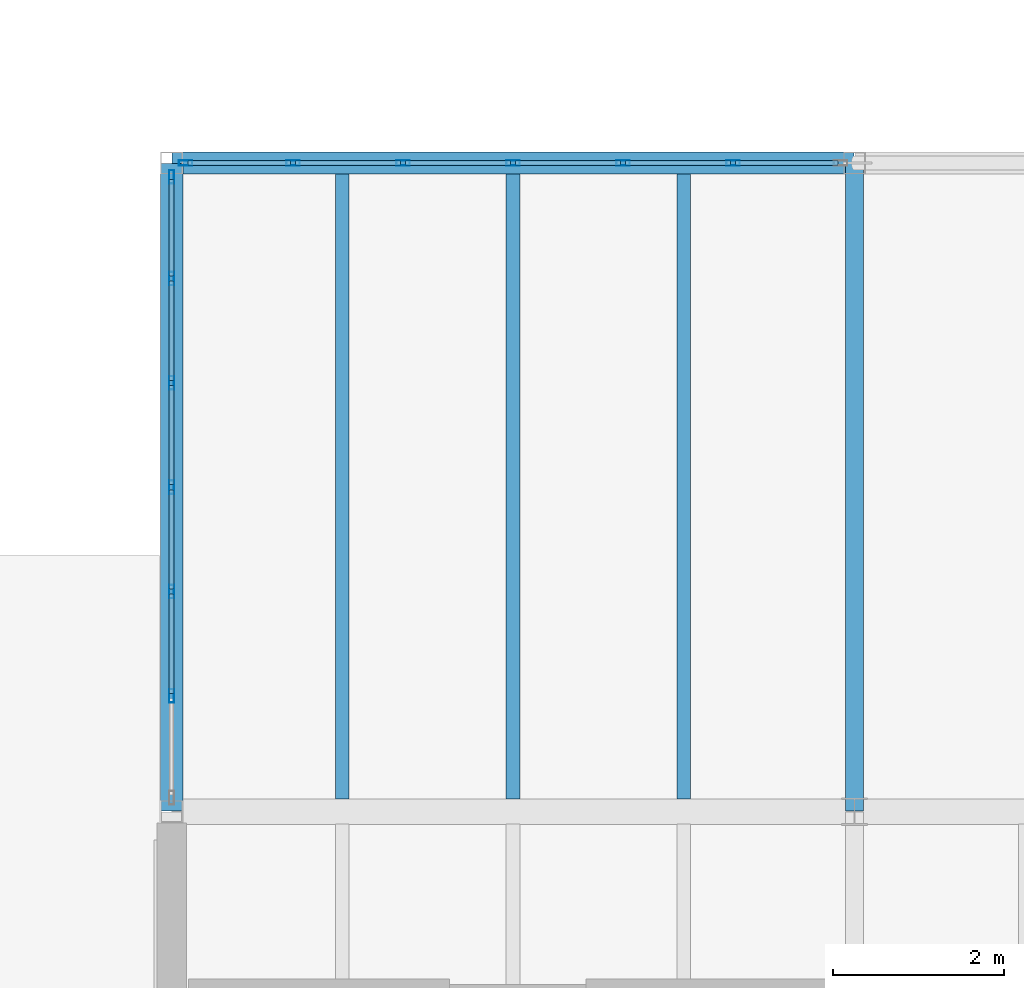
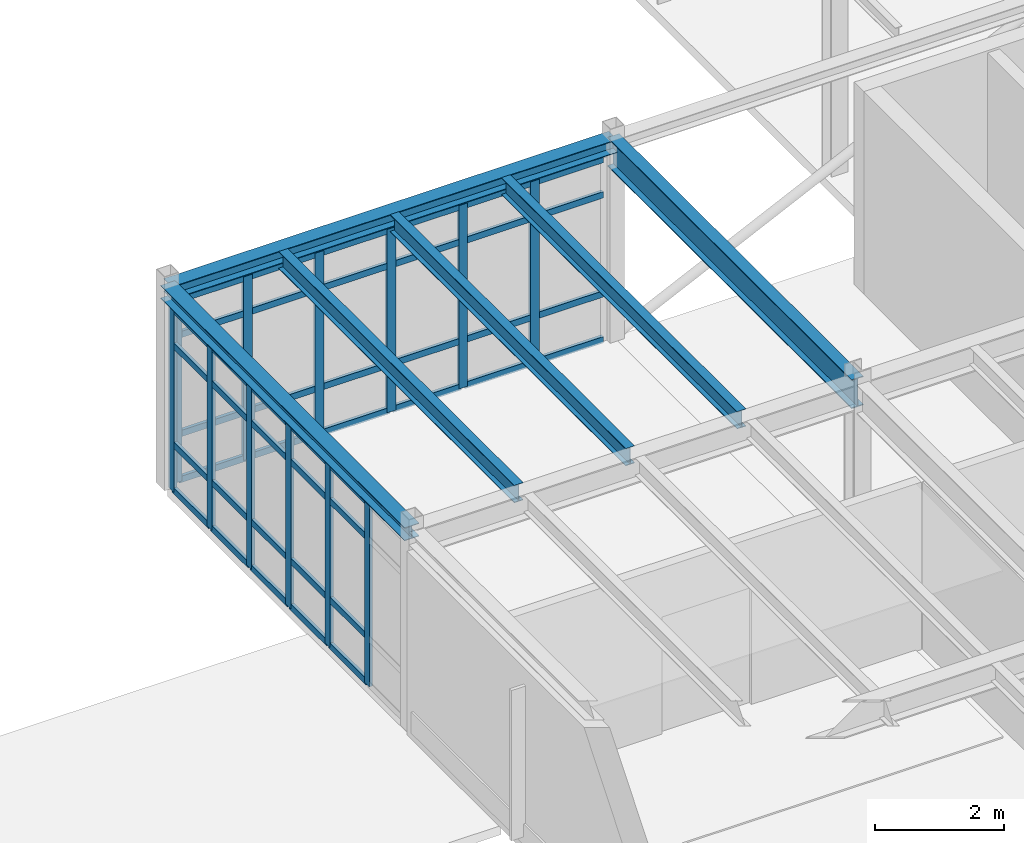
# One storey, part 122 of 189: 56 members, 6 beams, 2 elements without a shape of their own.
"""IFC4 building model written with IfcOpenShell, lengths in metres."""

from ifc_helpers import new_model, si_unit, direction, frame, origin, origin_2d, place, context, subcontext, project, spatial, hollow_rectangle, i_section, extrude, material, layer, layer_set, material_profile, profile_set, type_object, element, aggregate, save


model = new_model("IFC4")

# Units and contexts
model_context = context("Model", 3, precision=1e-05, world=origin(), true_north=direction((0.0, 1.0)))
body_context = subcontext(model_context, "Body", "Model", "MODEL_VIEW")
ifc_project = project(units=[si_unit("LENGTHUNIT", "METRE"), si_unit("AREAUNIT", "SQUARE_METRE"), si_unit("VOLUMEUNIT", "CUBIC_METRE"), si_unit("PLANEANGLEUNIT", "RADIAN"), si_unit("MASSUNIT", "GRAM", prefix="KILO")], contexts=[model_context])

# Site, building, storey
site_placement = place(None, origin())
site = spatial("IfcSite", under=ifc_project, at=site_placement, CompositionType="ELEMENT")
building_placement = place(site_placement, origin())
building = spatial("IfcBuilding", under=site, at=building_placement, Name="Montecoro Central Library", CompositionType="ELEMENT")
storey_placement = place(building_placement, frame((0.0, 0.0, 9.179931640625)))
storey = spatial("IfcBuildingStorey", under=building, at=storey_placement, Name="L02", CompositionType="ELEMENT", Elevation=9.179931640625)

# Beams
ifc_material_1 = material(Name="Steel S355J2", Category="steel")
ifc_material_profile_1 = material_profile(ifc_material_1, i_section(OverallWidth=0.2099609375, OverallDepth=0.550048828125, WebThickness=0.010986328125, FlangeThickness=0.01708984375, at=origin_2d()), Name="IPE 550")
ifc_profile_set_1 = profile_set([ifc_material_profile_1], Name="Steel S355J2")
beam_type_1 = type_object("IfcBeamType", Name="BM-G-IPE550", PredefinedType="USERDEFINED", material=ifc_profile_set_1)
beam_1_placement = place(storey_placement, frame((149.0, 35.405029296875, 3.550048828125), z_axis=(0.0, 1.0, 0.0), x_axis=(-1.0, 0.0, 0.0)))
element("IfcBeam", 1, at=beam_1_placement, inside=storey, type_object=beam_type_1, Name="V6-L02-BY-19-EF", ObjectType="GIRDER", PredefinedType="USERDEFINED", context=body_context, shape_type="SweptSolid", body=[
    extrude(i_section(OverallWidth=0.2099609375, OverallDepth=0.550048828125, WebThickness=0.010986328125, FlangeThickness=0.01708984375, at=origin_2d()), origin(), (0.0, 0.0, 1.0), 7.590087890625),
])
ifc_material_2 = material(Name="Steel S355", Category="steel")
ifc_material_profile_2 = material_profile(ifc_material_2, i_section(OverallWidth=0.159912109375, OverallDepth=0.330078125, WebThickness=0.007568359375, FlangeThickness=0.011474609375, at=origin_2d()), Name="IPE 330")
ifc_profile_set_2 = profile_set([ifc_material_profile_2], Name="Steel S355")
beam_type_2 = type_object("IfcBeamType", Name="BM-J-IPE330", PredefinedType="JOIST", material=ifc_profile_set_2)
for number, where, z_axis, x_axis, name in (
    (2, (143.0, 35.547119140625, 3.66015625), (0.0, 1.0, 0.0), (-1.0, 0.0, 0.0), "V6-L02-JS-1819-EF-1"),
    (3, (145.0, 35.547119140625, 3.66015625), (0.0, 1.0, 0.0), (-1.0, 0.0, 0.0), "V6-L02-JS-1819-EF-2"),
    (4, (147.0, 35.547119140625, 3.66015625), (0.0, 1.0, 0.0), (-1.0, 0.0, 0.0), "V6-L02-JS-1819-EF-3"),
):
    element("IfcBeam", number, at=place(storey_placement, frame(where, z_axis=z_axis, x_axis=x_axis)), inside=storey, type_object=beam_type_2, Name=name, PredefinedType="JOIST", context=body_context, shape_type="SweptSolid", body=[
        extrude(i_section(OverallWidth=0.159912109375, OverallDepth=0.330078125, WebThickness=0.007568359375, FlangeThickness=0.011474609375, at=origin_2d()), origin(), (0.0, 0.0, 1.0), 7.325927734375),
    ])
ifc_material_profile_3 = material_profile(ifc_material_2, i_section(OverallWidth=0.260009765625, OverallDepth=0.25, WebThickness=0.007568359375, FlangeThickness=0.012451171875, at=origin_2d()), Name="HEA 260")
ifc_profile_set_3 = profile_set([ifc_material_profile_3], Name="Steel S355")
beam_type_3 = type_object("IfcBeamType", Name="BM-SP-HEA260", PredefinedType="SPANDREL", material=ifc_profile_set_3)
beam_2_placement = place(storey_placement, frame((141.0048828125, 43.0, 3.699951171875), z_axis=(1.0, 0.0, 0.0), x_axis=(0.0, 1.0, 0.0)))
element("IfcBeam", 5, at=beam_2_placement, inside=storey, type_object=beam_type_3, Name="V6-L02-BX-1819-F", PredefinedType="SPANDREL", context=body_context, shape_type="SweptSolid", body=[
    extrude(i_section(OverallWidth=0.260009765625, OverallDepth=0.25, WebThickness=0.007568359375, FlangeThickness=0.012451171875, at=origin_2d()), origin(), (0.0, 0.0, 1.0), 7.990234375),
])
beam_3_placement = place(storey_placement, frame((141.0, 35.405029296875, 3.699951171875), z_axis=(0.0, 1.0, 0.0), x_axis=(-1.0, 0.0, 0.0)))
element("IfcBeam", 6, at=beam_3_placement, inside=storey, type_object=beam_type_3, Name="V6-L02-BY-18-EF", PredefinedType="SPANDREL", context=body_context, shape_type="SweptSolid", body=[
    extrude(i_section(OverallWidth=0.260009765625, OverallDepth=0.25, WebThickness=0.007568359375, FlangeThickness=0.012451171875, at=origin_2d()), origin(), (0.0, 0.0, 1.0), 7.590087890625),
])

# Curtain wall, members
ifc_material_3 = material(Name="Bronze-anodised aluminium and low-E glazing", Category="aluminium")
ifc_layer_1 = layer(ifc_material_3, 0.159912109375)
ifc_layer_set_1 = layer_set([ifc_layer_1], Name="Bronze-anodised aluminium and low-E glazing")
curtain_wall_type_1 = type_object("IfcCurtainWallType", Name="CWT-066", PredefinedType="NOTDEFINED", material=ifc_layer_set_1)
curtain_wall_1_placement = place(storey_placement, origin())
curtain_wall_1 = element("IfcCurtainWall", 7, at=curtain_wall_1_placement, inside=storey, type_object=curtain_wall_type_1, Name="V6-L02-CW-N0", PredefinedType="NOTDEFINED")
ifc_material_4 = material(Name="Bronze-anodised aluminium", Category="aluminium")
ifc_material_profile_4 = material_profile(ifc_material_4, hollow_rectangle(XDim=0.06005859375, YDim=0.159912109375, WallThickness=0.00390625, at=origin_2d()), Name="CWM 160x60x4.0")
ifc_profile_set_4 = profile_set([ifc_material_profile_4], Name="Bronze-anodised aluminium")
member_type_1 = type_object("IfcMemberType", Name="CWM-BRZ-60", PredefinedType="MULLION", material=ifc_profile_set_4)
member_1_placement = place(storey_placement, frame((147.577880859375, 43.0, 0.0), z_axis=(0.0, 0.0, 1.0), x_axis=(0.0, -1.0, 0.0)))
member_1 = element("IfcMember", 8, at=member_1_placement, type_object=member_type_1, Name="CW-066 mullion 2", PredefinedType="MULLION", context=body_context, shape_type="SweptSolid", body=[
    extrude(hollow_rectangle(XDim=0.06005859375, YDim=0.159912109375, WallThickness=0.00390625, at=origin_2d()), origin(), (0.0, 0.0, 1.0), 3.47998046875),
])
member_2_placement = place(storey_placement, frame((146.2890625, 43.0, 0.0), z_axis=(0.0, 0.0, 1.0), x_axis=(0.0, -1.0, 0.0)))
member_2 = element("IfcMember", 9, at=member_2_placement, type_object=member_type_1, Name="CW-066 mullion 3", PredefinedType="MULLION", context=body_context, shape_type="SweptSolid", body=[
    extrude(hollow_rectangle(XDim=0.06005859375, YDim=0.159912109375, WallThickness=0.00390625, at=origin_2d()), origin(), (0.0, 0.0, 1.0), 3.47998046875),
])
member_3_placement = place(storey_placement, frame((145.0, 43.0, 0.0), z_axis=(0.0, 0.0, 1.0), x_axis=(0.0, -1.0, 0.0)))
member_3 = element("IfcMember", 10, at=member_3_placement, type_object=member_type_1, Name="CW-066 mullion 4", PredefinedType="MULLION", context=body_context, shape_type="SweptSolid", body=[
    extrude(hollow_rectangle(XDim=0.06005859375, YDim=0.159912109375, WallThickness=0.00390625, at=origin_2d()), origin(), (0.0, 0.0, 1.0), 3.47998046875),
])
member_4_placement = place(storey_placement, frame((143.7109375, 43.0, 0.0), z_axis=(0.0, 0.0, 1.0), x_axis=(0.0, -1.0, 0.0)))
member_4 = element("IfcMember", 11, at=member_4_placement, type_object=member_type_1, Name="CW-066 mullion 5", PredefinedType="MULLION", context=body_context, shape_type="SweptSolid", body=[
    extrude(hollow_rectangle(XDim=0.06005859375, YDim=0.159912109375, WallThickness=0.00390625, at=origin_2d()), origin(), (0.0, 0.0, 1.0), 3.47998046875),
])
member_5_placement = place(storey_placement, frame((142.422119140625, 43.0, 0.0), z_axis=(0.0, 0.0, 1.0), x_axis=(0.0, -1.0, 0.0)))
member_5 = element("IfcMember", 12, at=member_5_placement, type_object=member_type_1, Name="CW-066 mullion 6", PredefinedType="MULLION", context=body_context, shape_type="SweptSolid", body=[
    extrude(hollow_rectangle(XDim=0.06005859375, YDim=0.159912109375, WallThickness=0.00390625, at=origin_2d()), origin(), (0.0, 0.0, 1.0), 3.47998046875),
])
member_6_placement = place(storey_placement, frame((141.1630859375, 43.0, 0.0), z_axis=(0.0, 0.0, 1.0), x_axis=(0.0, -1.0, 0.0)))
member_6 = element("IfcMember", 13, at=member_6_placement, type_object=member_type_1, Name="CW-066 mullion 7", PredefinedType="MULLION", context=body_context, shape_type="SweptSolid", body=[
    extrude(hollow_rectangle(XDim=0.06005859375, YDim=0.159912109375, WallThickness=0.00390625, at=origin_2d()), origin(), (0.0, 0.0, 1.0), 3.47998046875),
])

ifc_layer_2 = layer(ifc_material_3, 0.159912109375)
ifc_layer_set_2 = layer_set([ifc_layer_2], Name="Bronze-anodised aluminium and low-E glazing")
curtain_wall_type_2 = type_object("IfcCurtainWallType", Name="CWT-067", PredefinedType="NOTDEFINED", material=ifc_layer_set_2)
curtain_wall_2_placement = place(storey_placement, origin())
curtain_wall_2 = element("IfcCurtainWall", 14, at=curtain_wall_2_placement, inside=storey, type_object=curtain_wall_type_2, Name="V6-L02-CW-W4", PredefinedType="NOTDEFINED")
member_7_placement = place(storey_placement, frame((141.0, 42.8369140625, 0.0), z_axis=(0.0, 0.0, 1.0), x_axis=(1.0, 0.0, 0.0)))
member_7 = element("IfcMember", 15, at=member_7_placement, type_object=member_type_1, Name="CW-067 mullion 1", PredefinedType="MULLION", context=body_context, shape_type="SweptSolid", body=[
    extrude(hollow_rectangle(XDim=0.06005859375, YDim=0.159912109375, WallThickness=0.00390625, at=origin_2d()), origin(), (0.0, 0.0, 1.0), 3.47998046875),
])
member_8_placement = place(storey_placement, frame((141.0, 41.644775390625, 0.0), z_axis=(0.0, 0.0, 1.0), x_axis=(1.0, 0.0, 0.0)))
member_8 = element("IfcMember", 16, at=member_8_placement, type_object=member_type_1, Name="CW-067 mullion 2", PredefinedType="MULLION", context=body_context, shape_type="SweptSolid", body=[
    extrude(hollow_rectangle(XDim=0.06005859375, YDim=0.159912109375, WallThickness=0.00390625, at=origin_2d()), origin(), (0.0, 0.0, 1.0), 3.47998046875),
])
member_9_placement = place(storey_placement, frame((141.0, 40.42236328125, 0.0), z_axis=(0.0, 0.0, 1.0), x_axis=(1.0, 0.0, 0.0)))
member_9 = element("IfcMember", 17, at=member_9_placement, type_object=member_type_1, Name="CW-067 mullion 3", PredefinedType="MULLION", context=body_context, shape_type="SweptSolid", body=[
    extrude(hollow_rectangle(XDim=0.06005859375, YDim=0.159912109375, WallThickness=0.00390625, at=origin_2d()), origin(), (0.0, 0.0, 1.0), 3.47998046875),
])
member_10_placement = place(storey_placement, frame((141.0, 39.199951171875, 0.0), z_axis=(0.0, 0.0, 1.0), x_axis=(1.0, 0.0, 0.0)))
member_10 = element("IfcMember", 18, at=member_10_placement, type_object=member_type_1, Name="CW-067 mullion 4", PredefinedType="MULLION", context=body_context, shape_type="SweptSolid", body=[
    extrude(hollow_rectangle(XDim=0.06005859375, YDim=0.159912109375, WallThickness=0.00390625, at=origin_2d()), origin(), (0.0, 0.0, 1.0), 3.47998046875),
])
member_11_placement = place(storey_placement, frame((141.0, 37.977783203125, 0.0), z_axis=(0.0, 0.0, 1.0), x_axis=(1.0, 0.0, 0.0)))
member_11 = element("IfcMember", 19, at=member_11_placement, type_object=member_type_1, Name="CW-067 mullion 5", PredefinedType="MULLION", context=body_context, shape_type="SweptSolid", body=[
    extrude(hollow_rectangle(XDim=0.06005859375, YDim=0.159912109375, WallThickness=0.00390625, at=origin_2d()), origin(), (0.0, 0.0, 1.0), 3.47998046875),
])
member_12_placement = place(storey_placement, frame((141.0, 36.75537109375, 0.0), z_axis=(0.0, 0.0, 1.0), x_axis=(1.0, 0.0, 0.0)))
member_12 = element("IfcMember", 20, at=member_12_placement, type_object=member_type_1, Name="CW-067 mullion 6", PredefinedType="MULLION", context=body_context, shape_type="SweptSolid", body=[
    extrude(hollow_rectangle(XDim=0.06005859375, YDim=0.159912109375, WallThickness=0.00390625, at=origin_2d()), origin(), (0.0, 0.0, 1.0), 3.47998046875),
])

# Member
ifc_material_profile_5 = material_profile(ifc_material_4, hollow_rectangle(XDim=0.06005859375, YDim=0.1201171875, WallThickness=0.00390625, at=origin_2d()), Name="CWT 120x60x4.0")
ifc_profile_set_5 = profile_set([ifc_material_profile_5], Name="Bronze-anodised aluminium")
member_type_2 = type_object("IfcMemberType", Name="CWT-BRZ-60", PredefinedType="USERDEFINED", material=ifc_profile_set_5)
member_13_placement = place(storey_placement, frame((148.806884765625, 43.0, 0.030029296875), z_axis=(-1.0, 0.0, 0.0), x_axis=(0.0, -1.0, 0.0)))
member_13 = element("IfcMember", 21, at=member_13_placement, type_object=member_type_2, Name="CW-066 transom 1.1", ObjectType="TRANSOM", PredefinedType="USERDEFINED", context=body_context, shape_type="SweptSolid", body=[
    extrude(hollow_rectangle(XDim=0.06005859375, YDim=0.1201171875, WallThickness=0.00390625, at=origin_2d()), origin(), (0.0, 0.0, 1.0), 1.198974609375),
])

member_14_placement = place(storey_placement, frame((148.806884765625, 43.0, 0.900146484375), z_axis=(-1.0, 0.0, 0.0), x_axis=(0.0, -1.0, 0.0)))
member_14 = element("IfcMember", 22, at=member_14_placement, type_object=member_type_2, Name="CW-066 transom 1.2", ObjectType="TRANSOM", PredefinedType="USERDEFINED", context=body_context, shape_type="SweptSolid", body=[
    extrude(hollow_rectangle(XDim=0.06005859375, YDim=0.1201171875, WallThickness=0.00390625, at=origin_2d()), origin(), (0.0, 0.0, 1.0), 1.198974609375),
])

member_15_placement = place(storey_placement, frame((148.806884765625, 43.0, 2.780029296875), z_axis=(-1.0, 0.0, 0.0), x_axis=(0.0, -1.0, 0.0)))
member_15 = element("IfcMember", 23, at=member_15_placement, type_object=member_type_2, Name="CW-066 transom 1.3", ObjectType="TRANSOM", PredefinedType="USERDEFINED", context=body_context, shape_type="SweptSolid", body=[
    extrude(hollow_rectangle(XDim=0.06005859375, YDim=0.1201171875, WallThickness=0.00390625, at=origin_2d()), origin(), (0.0, 0.0, 1.0), 1.198974609375),
])

member_16_placement = place(storey_placement, frame((148.806884765625, 43.0, 3.449951171875), z_axis=(-1.0, 0.0, 0.0), x_axis=(0.0, -1.0, 0.0)))
member_16 = element("IfcMember", 24, at=member_16_placement, type_object=member_type_2, Name="CW-066 transom 1.4", ObjectType="TRANSOM", PredefinedType="USERDEFINED", context=body_context, shape_type="SweptSolid", body=[
    extrude(hollow_rectangle(XDim=0.06005859375, YDim=0.1201171875, WallThickness=0.00390625, at=origin_2d()), origin(), (0.0, 0.0, 1.0), 1.198974609375),
])

member_17_placement = place(storey_placement, frame((147.548095703125, 43.0, 0.030029296875), z_axis=(-1.0, 0.0, 0.0), x_axis=(0.0, -1.0, 0.0)))
member_17 = element("IfcMember", 25, at=member_17_placement, type_object=member_type_2, Name="CW-066 transom 2.1", ObjectType="TRANSOM", PredefinedType="USERDEFINED", context=body_context, shape_type="SweptSolid", body=[
    extrude(hollow_rectangle(XDim=0.06005859375, YDim=0.1201171875, WallThickness=0.00390625, at=origin_2d()), origin(), (0.0, 0.0, 1.0), 1.22900390625),
])

member_18_placement = place(storey_placement, frame((147.548095703125, 43.0, 0.900146484375), z_axis=(-1.0, 0.0, 0.0), x_axis=(0.0, -1.0, 0.0)))
member_18 = element("IfcMember", 26, at=member_18_placement, type_object=member_type_2, Name="CW-066 transom 2.2", ObjectType="TRANSOM", PredefinedType="USERDEFINED", context=body_context, shape_type="SweptSolid", body=[
    extrude(hollow_rectangle(XDim=0.06005859375, YDim=0.1201171875, WallThickness=0.00390625, at=origin_2d()), origin(), (0.0, 0.0, 1.0), 1.22900390625),
])

member_19_placement = place(storey_placement, frame((147.548095703125, 43.0, 2.780029296875), z_axis=(-1.0, 0.0, 0.0), x_axis=(0.0, -1.0, 0.0)))
member_19 = element("IfcMember", 27, at=member_19_placement, type_object=member_type_2, Name="CW-066 transom 2.3", ObjectType="TRANSOM", PredefinedType="USERDEFINED", context=body_context, shape_type="SweptSolid", body=[
    extrude(hollow_rectangle(XDim=0.06005859375, YDim=0.1201171875, WallThickness=0.00390625, at=origin_2d()), origin(), (0.0, 0.0, 1.0), 1.22900390625),
])

member_20_placement = place(storey_placement, frame((147.548095703125, 43.0, 3.449951171875), z_axis=(-1.0, 0.0, 0.0), x_axis=(0.0, -1.0, 0.0)))
member_20 = element("IfcMember", 28, at=member_20_placement, type_object=member_type_2, Name="CW-066 transom 2.4", ObjectType="TRANSOM", PredefinedType="USERDEFINED", context=body_context, shape_type="SweptSolid", body=[
    extrude(hollow_rectangle(XDim=0.06005859375, YDim=0.1201171875, WallThickness=0.00390625, at=origin_2d()), origin(), (0.0, 0.0, 1.0), 1.22900390625),
])

member_21_placement = place(storey_placement, frame((146.259033203125, 43.0, 0.030029296875), z_axis=(-1.0, 0.0, 0.0), x_axis=(0.0, -1.0, 0.0)))
member_21 = element("IfcMember", 29, at=member_21_placement, type_object=member_type_2, Name="CW-066 transom 3.1", ObjectType="TRANSOM", PredefinedType="USERDEFINED", context=body_context, shape_type="SweptSolid", body=[
    extrude(hollow_rectangle(XDim=0.06005859375, YDim=0.1201171875, WallThickness=0.00390625, at=origin_2d()), origin(), (0.0, 0.0, 1.0), 1.22900390625),
])

member_22_placement = place(storey_placement, frame((146.259033203125, 43.0, 0.900146484375), z_axis=(-1.0, 0.0, 0.0), x_axis=(0.0, -1.0, 0.0)))
member_22 = element("IfcMember", 30, at=member_22_placement, type_object=member_type_2, Name="CW-066 transom 3.2", ObjectType="TRANSOM", PredefinedType="USERDEFINED", context=body_context, shape_type="SweptSolid", body=[
    extrude(hollow_rectangle(XDim=0.06005859375, YDim=0.1201171875, WallThickness=0.00390625, at=origin_2d()), origin(), (0.0, 0.0, 1.0), 1.22900390625),
])

member_23_placement = place(storey_placement, frame((146.259033203125, 43.0, 2.780029296875), z_axis=(-1.0, 0.0, 0.0), x_axis=(0.0, -1.0, 0.0)))
member_23 = element("IfcMember", 31, at=member_23_placement, type_object=member_type_2, Name="CW-066 transom 3.3", ObjectType="TRANSOM", PredefinedType="USERDEFINED", context=body_context, shape_type="SweptSolid", body=[
    extrude(hollow_rectangle(XDim=0.06005859375, YDim=0.1201171875, WallThickness=0.00390625, at=origin_2d()), origin(), (0.0, 0.0, 1.0), 1.22900390625),
])

member_24_placement = place(storey_placement, frame((146.259033203125, 43.0, 3.449951171875), z_axis=(-1.0, 0.0, 0.0), x_axis=(0.0, -1.0, 0.0)))
member_24 = element("IfcMember", 32, at=member_24_placement, type_object=member_type_2, Name="CW-066 transom 3.4", ObjectType="TRANSOM", PredefinedType="USERDEFINED", context=body_context, shape_type="SweptSolid", body=[
    extrude(hollow_rectangle(XDim=0.06005859375, YDim=0.1201171875, WallThickness=0.00390625, at=origin_2d()), origin(), (0.0, 0.0, 1.0), 1.22900390625),
])

member_25_placement = place(storey_placement, frame((144.969970703125, 43.0, 0.030029296875), z_axis=(-1.0, 0.0, 0.0), x_axis=(0.0, -1.0, 0.0)))
member_25 = element("IfcMember", 33, at=member_25_placement, type_object=member_type_2, Name="CW-066 transom 4.1", ObjectType="TRANSOM", PredefinedType="USERDEFINED", context=body_context, shape_type="SweptSolid", body=[
    extrude(hollow_rectangle(XDim=0.06005859375, YDim=0.1201171875, WallThickness=0.00390625, at=origin_2d()), origin(), (0.0, 0.0, 1.0), 1.22900390625),
])

member_26_placement = place(storey_placement, frame((144.969970703125, 43.0, 0.900146484375), z_axis=(-1.0, 0.0, 0.0), x_axis=(0.0, -1.0, 0.0)))
member_26 = element("IfcMember", 34, at=member_26_placement, type_object=member_type_2, Name="CW-066 transom 4.2", ObjectType="TRANSOM", PredefinedType="USERDEFINED", context=body_context, shape_type="SweptSolid", body=[
    extrude(hollow_rectangle(XDim=0.06005859375, YDim=0.1201171875, WallThickness=0.00390625, at=origin_2d()), origin(), (0.0, 0.0, 1.0), 1.22900390625),
])

member_27_placement = place(storey_placement, frame((144.969970703125, 43.0, 2.780029296875), z_axis=(-1.0, 0.0, 0.0), x_axis=(0.0, -1.0, 0.0)))
member_27 = element("IfcMember", 35, at=member_27_placement, type_object=member_type_2, Name="CW-066 transom 4.3", ObjectType="TRANSOM", PredefinedType="USERDEFINED", context=body_context, shape_type="SweptSolid", body=[
    extrude(hollow_rectangle(XDim=0.06005859375, YDim=0.1201171875, WallThickness=0.00390625, at=origin_2d()), origin(), (0.0, 0.0, 1.0), 1.22900390625),
])

member_28_placement = place(storey_placement, frame((144.969970703125, 43.0, 3.449951171875), z_axis=(-1.0, 0.0, 0.0), x_axis=(0.0, -1.0, 0.0)))
member_28 = element("IfcMember", 36, at=member_28_placement, type_object=member_type_2, Name="CW-066 transom 4.4", ObjectType="TRANSOM", PredefinedType="USERDEFINED", context=body_context, shape_type="SweptSolid", body=[
    extrude(hollow_rectangle(XDim=0.06005859375, YDim=0.1201171875, WallThickness=0.00390625, at=origin_2d()), origin(), (0.0, 0.0, 1.0), 1.22900390625),
])

member_29_placement = place(storey_placement, frame((143.680908203125, 43.0, 0.030029296875), z_axis=(-1.0, 0.0, 0.0), x_axis=(0.0, -1.0, 0.0)))
member_29 = element("IfcMember", 37, at=member_29_placement, type_object=member_type_2, Name="CW-066 transom 5.1", ObjectType="TRANSOM", PredefinedType="USERDEFINED", context=body_context, shape_type="SweptSolid", body=[
    extrude(hollow_rectangle(XDim=0.06005859375, YDim=0.1201171875, WallThickness=0.00390625, at=origin_2d()), origin(), (0.0, 0.0, 1.0), 1.22900390625),
])

member_30_placement = place(storey_placement, frame((143.680908203125, 43.0, 0.900146484375), z_axis=(-1.0, 0.0, 0.0), x_axis=(0.0, -1.0, 0.0)))
member_30 = element("IfcMember", 38, at=member_30_placement, type_object=member_type_2, Name="CW-066 transom 5.2", ObjectType="TRANSOM", PredefinedType="USERDEFINED", context=body_context, shape_type="SweptSolid", body=[
    extrude(hollow_rectangle(XDim=0.06005859375, YDim=0.1201171875, WallThickness=0.00390625, at=origin_2d()), origin(), (0.0, 0.0, 1.0), 1.22900390625),
])

member_31_placement = place(storey_placement, frame((143.680908203125, 43.0, 2.780029296875), z_axis=(-1.0, 0.0, 0.0), x_axis=(0.0, -1.0, 0.0)))
member_31 = element("IfcMember", 39, at=member_31_placement, type_object=member_type_2, Name="CW-066 transom 5.3", ObjectType="TRANSOM", PredefinedType="USERDEFINED", context=body_context, shape_type="SweptSolid", body=[
    extrude(hollow_rectangle(XDim=0.06005859375, YDim=0.1201171875, WallThickness=0.00390625, at=origin_2d()), origin(), (0.0, 0.0, 1.0), 1.22900390625),
])

member_32_placement = place(storey_placement, frame((143.680908203125, 43.0, 3.449951171875), z_axis=(-1.0, 0.0, 0.0), x_axis=(0.0, -1.0, 0.0)))
member_32 = element("IfcMember", 40, at=member_32_placement, type_object=member_type_2, Name="CW-066 transom 5.4", ObjectType="TRANSOM", PredefinedType="USERDEFINED", context=body_context, shape_type="SweptSolid", body=[
    extrude(hollow_rectangle(XDim=0.06005859375, YDim=0.1201171875, WallThickness=0.00390625, at=origin_2d()), origin(), (0.0, 0.0, 1.0), 1.22900390625),
])

member_33_placement = place(storey_placement, frame((142.39208984375, 43.0, 0.030029296875), z_axis=(-1.0, 0.0, 0.0), x_axis=(0.0, -1.0, 0.0)))
member_33 = element("IfcMember", 41, at=member_33_placement, type_object=member_type_2, Name="CW-066 transom 6.1", ObjectType="TRANSOM", PredefinedType="USERDEFINED", context=body_context, shape_type="SweptSolid", body=[
    extrude(hollow_rectangle(XDim=0.06005859375, YDim=0.1201171875, WallThickness=0.00390625, at=origin_2d()), origin(), (0.0, 0.0, 1.0), 1.198974609375),
])

member_34_placement = place(storey_placement, frame((142.39208984375, 43.0, 0.900146484375), z_axis=(-1.0, 0.0, 0.0), x_axis=(0.0, -1.0, 0.0)))
member_34 = element("IfcMember", 42, at=member_34_placement, type_object=member_type_2, Name="CW-066 transom 6.2", ObjectType="TRANSOM", PredefinedType="USERDEFINED", context=body_context, shape_type="SweptSolid", body=[
    extrude(hollow_rectangle(XDim=0.06005859375, YDim=0.1201171875, WallThickness=0.00390625, at=origin_2d()), origin(), (0.0, 0.0, 1.0), 1.198974609375),
])

member_35_placement = place(storey_placement, frame((142.39208984375, 43.0, 2.780029296875), z_axis=(-1.0, 0.0, 0.0), x_axis=(0.0, -1.0, 0.0)))
member_35 = element("IfcMember", 43, at=member_35_placement, type_object=member_type_2, Name="CW-066 transom 6.3", ObjectType="TRANSOM", PredefinedType="USERDEFINED", context=body_context, shape_type="SweptSolid", body=[
    extrude(hollow_rectangle(XDim=0.06005859375, YDim=0.1201171875, WallThickness=0.00390625, at=origin_2d()), origin(), (0.0, 0.0, 1.0), 1.198974609375),
])

member_36_placement = place(storey_placement, frame((142.39208984375, 43.0, 3.449951171875), z_axis=(-1.0, 0.0, 0.0), x_axis=(0.0, -1.0, 0.0)))
member_36 = element("IfcMember", 44, at=member_36_placement, type_object=member_type_2, Name="CW-066 transom 6.4", ObjectType="TRANSOM", PredefinedType="USERDEFINED", context=body_context, shape_type="SweptSolid", body=[
    extrude(hollow_rectangle(XDim=0.06005859375, YDim=0.1201171875, WallThickness=0.00390625, at=origin_2d()), origin(), (0.0, 0.0, 1.0), 1.198974609375),
])

aggregate(curtain_wall_1, [member_1, member_2, member_3, member_4, member_5, member_6, member_13, member_14, member_15, member_16, member_17, member_18, member_19, member_20, member_21, member_22, member_23, member_24, member_25, member_26, member_27, member_28, member_29, member_30, member_31, member_32, member_33, member_34, member_35, member_36])

member_37_placement = place(storey_placement, frame((141.0, 42.806884765625, 0.030029296875), z_axis=(0.0, -1.0, 0.0), x_axis=(1.0, 0.0, 0.0)))
member_37 = element("IfcMember", 45, at=member_37_placement, type_object=member_type_2, Name="CW-067 transom 1.1", ObjectType="TRANSOM", PredefinedType="USERDEFINED", context=body_context, shape_type="SweptSolid", body=[
    extrude(hollow_rectangle(XDim=0.06005859375, YDim=0.1201171875, WallThickness=0.00390625, at=origin_2d()), origin(), (0.0, 0.0, 1.0), 1.13232421875),
])

member_38_placement = place(storey_placement, frame((141.0, 42.806884765625, 0.900146484375), z_axis=(0.0, -1.0, 0.0), x_axis=(1.0, 0.0, 0.0)))
member_38 = element("IfcMember", 46, at=member_38_placement, type_object=member_type_2, Name="CW-067 transom 1.2", ObjectType="TRANSOM", PredefinedType="USERDEFINED", context=body_context, shape_type="SweptSolid", body=[
    extrude(hollow_rectangle(XDim=0.06005859375, YDim=0.1201171875, WallThickness=0.00390625, at=origin_2d()), origin(), (0.0, 0.0, 1.0), 1.13232421875),
])

member_39_placement = place(storey_placement, frame((141.0, 42.806884765625, 2.780029296875), z_axis=(0.0, -1.0, 0.0), x_axis=(1.0, 0.0, 0.0)))
member_39 = element("IfcMember", 47, at=member_39_placement, type_object=member_type_2, Name="CW-067 transom 1.3", ObjectType="TRANSOM", PredefinedType="USERDEFINED", context=body_context, shape_type="SweptSolid", body=[
    extrude(hollow_rectangle(XDim=0.06005859375, YDim=0.1201171875, WallThickness=0.00390625, at=origin_2d()), origin(), (0.0, 0.0, 1.0), 1.13232421875),
])

member_40_placement = place(storey_placement, frame((141.0, 42.806884765625, 3.449951171875), z_axis=(0.0, -1.0, 0.0), x_axis=(1.0, 0.0, 0.0)))
member_40 = element("IfcMember", 48, at=member_40_placement, type_object=member_type_2, Name="CW-067 transom 1.4", ObjectType="TRANSOM", PredefinedType="USERDEFINED", context=body_context, shape_type="SweptSolid", body=[
    extrude(hollow_rectangle(XDim=0.06005859375, YDim=0.1201171875, WallThickness=0.00390625, at=origin_2d()), origin(), (0.0, 0.0, 1.0), 1.13232421875),
])

member_41_placement = place(storey_placement, frame((141.0, 41.61474609375, 0.030029296875), z_axis=(0.0, -1.0, 0.0), x_axis=(1.0, 0.0, 0.0)))
member_41 = element("IfcMember", 49, at=member_41_placement, type_object=member_type_2, Name="CW-067 transom 2.1", ObjectType="TRANSOM", PredefinedType="USERDEFINED", context=body_context, shape_type="SweptSolid", body=[
    extrude(hollow_rectangle(XDim=0.06005859375, YDim=0.1201171875, WallThickness=0.00390625, at=origin_2d()), origin(), (0.0, 0.0, 1.0), 1.162353515625),
])

member_42_placement = place(storey_placement, frame((141.0, 41.61474609375, 0.900146484375), z_axis=(0.0, -1.0, 0.0), x_axis=(1.0, 0.0, 0.0)))
member_42 = element("IfcMember", 50, at=member_42_placement, type_object=member_type_2, Name="CW-067 transom 2.2", ObjectType="TRANSOM", PredefinedType="USERDEFINED", context=body_context, shape_type="SweptSolid", body=[
    extrude(hollow_rectangle(XDim=0.06005859375, YDim=0.1201171875, WallThickness=0.00390625, at=origin_2d()), origin(), (0.0, 0.0, 1.0), 1.162353515625),
])

member_43_placement = place(storey_placement, frame((141.0, 41.61474609375, 2.780029296875), z_axis=(0.0, -1.0, 0.0), x_axis=(1.0, 0.0, 0.0)))
member_43 = element("IfcMember", 51, at=member_43_placement, type_object=member_type_2, Name="CW-067 transom 2.3", ObjectType="TRANSOM", PredefinedType="USERDEFINED", context=body_context, shape_type="SweptSolid", body=[
    extrude(hollow_rectangle(XDim=0.06005859375, YDim=0.1201171875, WallThickness=0.00390625, at=origin_2d()), origin(), (0.0, 0.0, 1.0), 1.162353515625),
])

member_44_placement = place(storey_placement, frame((141.0, 41.61474609375, 3.449951171875), z_axis=(0.0, -1.0, 0.0), x_axis=(1.0, 0.0, 0.0)))
member_44 = element("IfcMember", 52, at=member_44_placement, type_object=member_type_2, Name="CW-067 transom 2.4", ObjectType="TRANSOM", PredefinedType="USERDEFINED", context=body_context, shape_type="SweptSolid", body=[
    extrude(hollow_rectangle(XDim=0.06005859375, YDim=0.1201171875, WallThickness=0.00390625, at=origin_2d()), origin(), (0.0, 0.0, 1.0), 1.162353515625),
])

member_45_placement = place(storey_placement, frame((141.0, 40.392333984375, 0.030029296875), z_axis=(0.0, -1.0, 0.0), x_axis=(1.0, 0.0, 0.0)))
member_45 = element("IfcMember", 53, at=member_45_placement, type_object=member_type_2, Name="CW-067 transom 3.1", ObjectType="TRANSOM", PredefinedType="USERDEFINED", context=body_context, shape_type="SweptSolid", body=[
    extrude(hollow_rectangle(XDim=0.06005859375, YDim=0.1201171875, WallThickness=0.00390625, at=origin_2d()), origin(), (0.0, 0.0, 1.0), 1.162353515625),
])

member_46_placement = place(storey_placement, frame((141.0, 40.392333984375, 0.900146484375), z_axis=(0.0, -1.0, 0.0), x_axis=(1.0, 0.0, 0.0)))
member_46 = element("IfcMember", 54, at=member_46_placement, type_object=member_type_2, Name="CW-067 transom 3.2", ObjectType="TRANSOM", PredefinedType="USERDEFINED", context=body_context, shape_type="SweptSolid", body=[
    extrude(hollow_rectangle(XDim=0.06005859375, YDim=0.1201171875, WallThickness=0.00390625, at=origin_2d()), origin(), (0.0, 0.0, 1.0), 1.162353515625),
])

member_47_placement = place(storey_placement, frame((141.0, 40.392333984375, 2.780029296875), z_axis=(0.0, -1.0, 0.0), x_axis=(1.0, 0.0, 0.0)))
member_47 = element("IfcMember", 55, at=member_47_placement, type_object=member_type_2, Name="CW-067 transom 3.3", ObjectType="TRANSOM", PredefinedType="USERDEFINED", context=body_context, shape_type="SweptSolid", body=[
    extrude(hollow_rectangle(XDim=0.06005859375, YDim=0.1201171875, WallThickness=0.00390625, at=origin_2d()), origin(), (0.0, 0.0, 1.0), 1.162353515625),
])

member_48_placement = place(storey_placement, frame((141.0, 40.392333984375, 3.449951171875), z_axis=(0.0, -1.0, 0.0), x_axis=(1.0, 0.0, 0.0)))
member_48 = element("IfcMember", 56, at=member_48_placement, type_object=member_type_2, Name="CW-067 transom 3.4", ObjectType="TRANSOM", PredefinedType="USERDEFINED", context=body_context, shape_type="SweptSolid", body=[
    extrude(hollow_rectangle(XDim=0.06005859375, YDim=0.1201171875, WallThickness=0.00390625, at=origin_2d()), origin(), (0.0, 0.0, 1.0), 1.162353515625),
])

member_49_placement = place(storey_placement, frame((141.0, 39.169921875, 0.030029296875), z_axis=(0.0, -1.0, 0.0), x_axis=(1.0, 0.0, 0.0)))
member_49 = element("IfcMember", 57, at=member_49_placement, type_object=member_type_2, Name="CW-067 transom 4.1", ObjectType="TRANSOM", PredefinedType="USERDEFINED", context=body_context, shape_type="SweptSolid", body=[
    extrude(hollow_rectangle(XDim=0.06005859375, YDim=0.1201171875, WallThickness=0.00390625, at=origin_2d()), origin(), (0.0, 0.0, 1.0), 1.162353515625),
])

member_50_placement = place(storey_placement, frame((141.0, 39.169921875, 0.900146484375), z_axis=(0.0, -1.0, 0.0), x_axis=(1.0, 0.0, 0.0)))
member_50 = element("IfcMember", 58, at=member_50_placement, type_object=member_type_2, Name="CW-067 transom 4.2", ObjectType="TRANSOM", PredefinedType="USERDEFINED", context=body_context, shape_type="SweptSolid", body=[
    extrude(hollow_rectangle(XDim=0.06005859375, YDim=0.1201171875, WallThickness=0.00390625, at=origin_2d()), origin(), (0.0, 0.0, 1.0), 1.162353515625),
])

member_51_placement = place(storey_placement, frame((141.0, 39.169921875, 2.780029296875), z_axis=(0.0, -1.0, 0.0), x_axis=(1.0, 0.0, 0.0)))
member_51 = element("IfcMember", 59, at=member_51_placement, type_object=member_type_2, Name="CW-067 transom 4.3", ObjectType="TRANSOM", PredefinedType="USERDEFINED", context=body_context, shape_type="SweptSolid", body=[
    extrude(hollow_rectangle(XDim=0.06005859375, YDim=0.1201171875, WallThickness=0.00390625, at=origin_2d()), origin(), (0.0, 0.0, 1.0), 1.162353515625),
])

member_52_placement = place(storey_placement, frame((141.0, 39.169921875, 3.449951171875), z_axis=(0.0, -1.0, 0.0), x_axis=(1.0, 0.0, 0.0)))
member_52 = element("IfcMember", 60, at=member_52_placement, type_object=member_type_2, Name="CW-067 transom 4.4", ObjectType="TRANSOM", PredefinedType="USERDEFINED", context=body_context, shape_type="SweptSolid", body=[
    extrude(hollow_rectangle(XDim=0.06005859375, YDim=0.1201171875, WallThickness=0.00390625, at=origin_2d()), origin(), (0.0, 0.0, 1.0), 1.162353515625),
])

member_53_placement = place(storey_placement, frame((141.0, 37.94775390625, 0.030029296875), z_axis=(0.0, -1.0, 0.0), x_axis=(1.0, 0.0, 0.0)))
member_53 = element("IfcMember", 61, at=member_53_placement, type_object=member_type_2, Name="CW-067 transom 5.1", ObjectType="TRANSOM", PredefinedType="USERDEFINED", context=body_context, shape_type="SweptSolid", body=[
    extrude(hollow_rectangle(XDim=0.06005859375, YDim=0.1201171875, WallThickness=0.00390625, at=origin_2d()), origin(), (0.0, 0.0, 1.0), 1.162353515625),
])

member_54_placement = place(storey_placement, frame((141.0, 37.94775390625, 0.900146484375), z_axis=(0.0, -1.0, 0.0), x_axis=(1.0, 0.0, 0.0)))
member_54 = element("IfcMember", 62, at=member_54_placement, type_object=member_type_2, Name="CW-067 transom 5.2", ObjectType="TRANSOM", PredefinedType="USERDEFINED", context=body_context, shape_type="SweptSolid", body=[
    extrude(hollow_rectangle(XDim=0.06005859375, YDim=0.1201171875, WallThickness=0.00390625, at=origin_2d()), origin(), (0.0, 0.0, 1.0), 1.162353515625),
])

member_55_placement = place(storey_placement, frame((141.0, 37.94775390625, 2.780029296875), z_axis=(0.0, -1.0, 0.0), x_axis=(1.0, 0.0, 0.0)))
member_55 = element("IfcMember", 63, at=member_55_placement, type_object=member_type_2, Name="CW-067 transom 5.3", ObjectType="TRANSOM", PredefinedType="USERDEFINED", context=body_context, shape_type="SweptSolid", body=[
    extrude(hollow_rectangle(XDim=0.06005859375, YDim=0.1201171875, WallThickness=0.00390625, at=origin_2d()), origin(), (0.0, 0.0, 1.0), 1.162353515625),
])

member_56_placement = place(storey_placement, frame((141.0, 37.94775390625, 3.449951171875), z_axis=(0.0, -1.0, 0.0), x_axis=(1.0, 0.0, 0.0)))
member_56 = element("IfcMember", 64, at=member_56_placement, type_object=member_type_2, Name="CW-067 transom 5.4", ObjectType="TRANSOM", PredefinedType="USERDEFINED", context=body_context, shape_type="SweptSolid", body=[
    extrude(hollow_rectangle(XDim=0.06005859375, YDim=0.1201171875, WallThickness=0.00390625, at=origin_2d()), origin(), (0.0, 0.0, 1.0), 1.162353515625),
])

aggregate(curtain_wall_2, [member_7, member_8, member_9, member_10, member_11, member_12, member_37, member_38, member_39, member_40, member_41, member_42, member_43, member_44, member_45, member_46, member_47, member_48, member_49, member_50, member_51, member_52, member_53, member_54, member_55, member_56])

save(model, "model.ifc")
